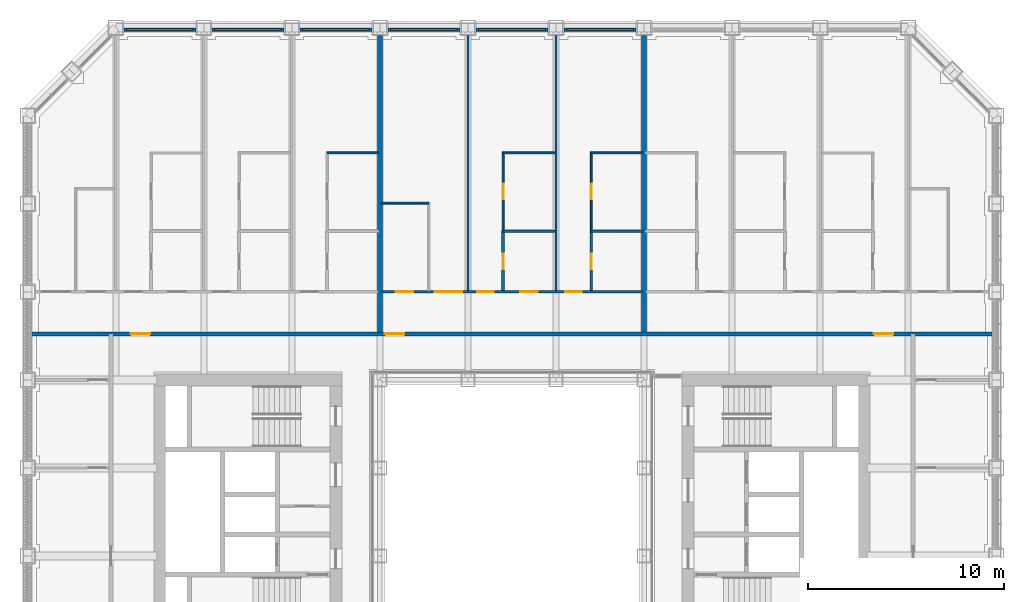
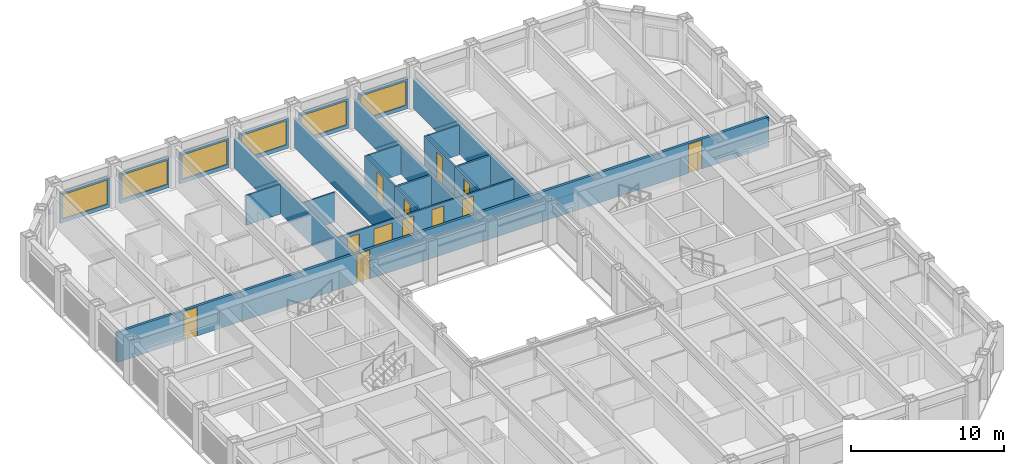
# One storey, part 14 of 21: 22 walls, 12 doors, 6 windows, 18 openings.
"""IFC4 building model written with IfcOpenShell, lengths in metres."""

import ifcopenshell
import ifcopenshell.guid

model = None  # the IFC model being written
_history = None  # IfcOwnerHistory: only IFC2X3 demands one
_inside = {}  # id of a spatial element -> (the spatial element, [elements in it])
_under = {}  # id of a project, library or spatial element -> (it, [spatial elements below it])
_declared = {}  # id of a project -> (the project, [libraries it declares])
_typed = {}  # id of a type object -> (the type object, [elements of that type])
_made_of = {}  # id of a material, layer set ... -> (it, [elements and type objects made of it])


def new_model(schema):
    """Start an empty IFC model of exactly this schema.

    Asked for "IFC4X3", IfcOpenShell would pick the latest addendum, in which some entities
    have other attributes; the version numbers below select the first issue.
    IFC2X3 requires an IfcOwnerHistory on every rooted entity: one is made here for all.
    """
    global model, _history
    if schema == "IFC4X3":
        model = ifcopenshell.file(schema_version=(4, 3, 0, 0))
    else:
        model = ifcopenshell.file(schema=schema)
    _inside.clear()
    _under.clear()
    _declared.clear()
    _typed.clear()
    _made_of.clear()
    _history = None
    if model.schema == "IFC2X3":
        org = make("IfcOrganization", Name="unknown")
        user = make(
            "IfcPersonAndOrganization",
            ThePerson=make("IfcPerson", FamilyName="unknown"),
            TheOrganization=org,
        )
        app = make(
            "IfcApplication",
            ApplicationDeveloper=org,
            Version="unknown",
            ApplicationFullName="unknown",
            ApplicationIdentifier="unknown",
        )
        _history = make(
            "IfcOwnerHistory",
            OwningUser=user,
            OwningApplication=app,
            ChangeAction="ADDED",
            CreationDate=0,
        )
    return model


def make(cls, **values):
    """One entity of the class cls with the attributes given. An attribute that is None is left unset."""
    return model.create_entity(
        cls, **{name: value for name, value in values.items() if value is not None}
    )


def rooted(cls, **values):
    """An entity with a GlobalId (a new one), such as an element, a storey or a relation."""
    return make(cls, GlobalId=ifcopenshell.guid.new(), OwnerHistory=_history, **values)


def si_unit(unit_type, name, prefix=None):
    """IfcSIUnit, for example si_unit("LENGTHUNIT", "METRE", prefix="MILLI")."""
    return make("IfcSIUnit", UnitType=unit_type, Prefix=prefix, Name=name)


def assignment(units):
    """IfcUnitAssignment: the units of a project."""
    return None if units is None else make("IfcUnitAssignment", Units=units)


def point(xyz):
    """IfcCartesianPoint."""
    return None if xyz is None else make("IfcCartesianPoint", Coordinates=xyz)


def direction(xyz):
    """IfcDirection."""
    return None if xyz is None else make("IfcDirection", DirectionRatios=xyz)


def frame(location, z_axis=None, x_axis=None):
    """IfcAxis2Placement3D, a coordinate frame: its origin and axes. An axis left out is left unset."""
    return make(
        "IfcAxis2Placement3D",
        Location=point(location),
        Axis=direction(z_axis),
        RefDirection=direction(x_axis),
    )


def frame_2d(location, x_axis=None):
    """IfcAxis2Placement2D, a coordinate frame in the plane: its origin and x axis."""
    return make(
        "IfcAxis2Placement2D", Location=point(location), RefDirection=direction(x_axis)
    )


def origin():
    """The frame at (0, 0, 0) with its axes left unset."""
    return frame((0.0, 0.0, 0.0))


def place(relative_to, where):
    """IfcLocalPlacement: puts the frame where relative to a parent placement (None: the world)."""
    return make(
        "IfcLocalPlacement", PlacementRelTo=relative_to, RelativePlacement=where
    )


def context(
    kind, dimensions, precision=None, world=None, true_north=None, identifier=None
):
    """IfcGeometricRepresentationContext, for example the 3D "Model" context."""
    return make(
        "IfcGeometricRepresentationContext",
        ContextIdentifier=identifier,
        ContextType=kind,
        CoordinateSpaceDimension=dimensions,
        Precision=precision,
        WorldCoordinateSystem=world,
        TrueNorth=true_north,
    )


def subcontext(parent, identifier, kind, view, scale=None):
    """IfcGeometricRepresentationSubContext, for example "Body" below "Model"."""
    return make(
        "IfcGeometricRepresentationSubContext",
        ContextIdentifier=identifier,
        ContextType=kind,
        ParentContext=parent,
        TargetScale=scale,
        TargetView=view,
    )


def project(units=None, contexts=None):
    """IfcProject with its units and contexts."""
    return rooted(
        "IfcProject",
        Name="project",
        RepresentationContexts=contexts,
        UnitsInContext=assignment(units),
    )


def spatial(cls, under=None, at=None, **own):
    """A site, building, storey or space (cls), placed at a placement, below another one or the project."""
    s = rooted(cls, ObjectPlacement=at, **own)
    if under is not None:
        _under.setdefault(under.id(), (under, []))[1].append(s)
    return s


def profile(cls, at=None, kind="AREA", **sizes):
    """A parametric profile (cls). Its sizes go by their IFC names, for example OverallWidth=200.0."""
    return make(cls, ProfileType=kind, Position=at, **sizes)


def rectangle(**sizes):
    """IfcRectangleProfileDef."""
    return profile("IfcRectangleProfileDef", **sizes)


def extrude(swept, where, along, depth):
    """IfcExtrudedAreaSolid: the profile swept, set in the frame where, extruded along a direction by depth."""
    return make(
        "IfcExtrudedAreaSolid",
        SweptArea=swept,
        Position=where,
        ExtrudedDirection=direction(along),
        Depth=depth,
    )


def shape(context_of_items, identifier, shape_type, items):
    """IfcShapeRepresentation: the items that make up one representation, for example the "Body"."""
    return make(
        "IfcShapeRepresentation",
        ContextOfItems=context_of_items,
        RepresentationIdentifier=identifier,
        RepresentationType=shape_type,
        Items=items,
    )


def material(Name=None, Category=None):
    """IfcMaterial."""
    return make("IfcMaterial", Name=Name, Category=Category)


def layer(
    of_material, thickness, ventilated=None, Name=None, Category=None, Priority=None
):
    """IfcMaterialLayer: one layer of a wall or slab, of a material (None: an air gap)."""
    return make(
        "IfcMaterialLayer",
        Material=of_material,
        LayerThickness=thickness,
        IsVentilated=ventilated,
        Name=Name,
        Category=Category,
        Priority=Priority,
    )


def layer_set(layers, Name=None):
    """IfcMaterialLayerSet."""
    return make("IfcMaterialLayerSet", MaterialLayers=layers, LayerSetName=Name)


def made_of(thing, what):
    """Note that an element or type object is made of a material, layer set ...; save() writes the relation."""
    if what is not None:
        _made_of.setdefault(what.id(), (what, []))[1].append(thing)
    return thing


def type_object(cls, material=None, **own):
    """A type object (cls), such as IfcWallType, which elements share."""
    return made_of(rooted(cls, **own), material)


def element(
    cls,
    number,
    at=None,
    inside=None,
    cuts=None,
    type_object=None,
    material=None,
    context=None,
    identifier="Body",
    shape_type=None,
    held_by="IfcProductDefinitionShape",
    body=None,
    shapes=None,
    **own,
):
    """One element of the class cls, such as IfcWall. Its Tag is "e" and its number.

    at: its placement. inside: the storey or other place that contains it. cuts: it is an
    opening in that element (IfcRelVoidsElement). A single representation is given by context,
    identifier, shape_type and body (its items); several are given by shapes. held_by: the class
    of the entity that holds the representations. save() writes the other relations.
    """
    e = rooted(cls, Tag="e%d" % number, ObjectPlacement=at, **own)
    if body is not None:
        shapes = [shape(context, identifier, shape_type, body)]
    if shapes is not None:
        e.Representation = make(held_by, Representations=shapes)
    if inside is not None:
        _inside.setdefault(inside.id(), (inside, []))[1].append(e)
    if cuts is not None:
        rooted(
            "IfcRelVoidsElement", RelatingBuildingElement=cuts, RelatedOpeningElement=e
        )
    if type_object is not None:
        _typed.setdefault(type_object.id(), (type_object, []))[1].append(e)
    return made_of(e, material)


def fill(opening, filler):
    """IfcRelFillsElement: the door or window that sits in an opening."""
    return rooted(
        "IfcRelFillsElement",
        RelatingOpeningElement=opening,
        RelatedBuildingElement=filler,
    )


def aggregate(whole, parts):
    """IfcRelAggregates: a whole, such as a stair, and the parts it consists of."""
    return rooted("IfcRelAggregates", RelatingObject=whole, RelatedObjects=parts)


def save(model, path):
    """Write the relations noted so far, then the file.

    IfcRelAggregates (storeys below a building ...), IfcRelContainedInSpatialStructure (elements
    in a storey), IfcRelDefinesByType, IfcRelAssociatesMaterial and IfcRelDeclares: one each for
    every whole, place, type object, material and project.
    """
    for whole, parts in _under.values():
        aggregate(whole, parts)
    for where, things in _inside.values():
        rooted(
            "IfcRelContainedInSpatialStructure",
            RelatedElements=things,
            RelatingStructure=where,
        )
    for kind, things in _typed.values():
        rooted("IfcRelDefinesByType", RelatedObjects=things, RelatingType=kind)
    for what, things in _made_of.values():
        rooted("IfcRelAssociatesMaterial", RelatedObjects=things, RelatingMaterial=what)
    for by, libraries in _declared.values():
        rooted("IfcRelDeclares", RelatingContext=by, RelatedDefinitions=libraries)
    model.write(path)


model = new_model("IFC4")

# Units and contexts
model_context = context("Model", 3, precision=1e-05, world=origin(), true_north=direction((0.0, 1.0)))
body_context = subcontext(model_context, "Body", "Model", "MODEL_VIEW")
ifc_project = project(units=[si_unit("LENGTHUNIT", "METRE"), si_unit("AREAUNIT", "SQUARE_METRE"), si_unit("VOLUMEUNIT", "CUBIC_METRE"), si_unit("PLANEANGLEUNIT", "RADIAN"), si_unit("MASSUNIT", "GRAM", prefix="KILO")], contexts=[model_context])

# Site, building, storey
site_placement = place(None, origin())
site = spatial("IfcSite", under=ifc_project, at=site_placement, CompositionType="ELEMENT")
building_placement = place(site_placement, origin())
building = spatial("IfcBuilding", under=site, at=building_placement, Name="Msasa Ring Tower", CompositionType="ELEMENT")
storey_placement = place(building_placement, frame((0.0, 0.0, 72.0)))
storey = spatial("IfcBuildingStorey", under=building, at=storey_placement, Name="L18", CompositionType="ELEMENT", Elevation=72.0)

# Wall, opening, window
ifc_material_1 = material(Name="Terracotta rainscreen on blockwork", Category="masonry")
ifc_layer_1 = layer(ifc_material_1, 0.199951171875)
ifc_layer_set_1 = layer_set([ifc_layer_1], Name="FW1 TERRACOTTA-LINED INFILL BAY WALL 200")
wall_type_1 = type_object("IfcWallType", Name="FW1 TERRACOTTA-LINED INFILL BAY WALL 200", PredefinedType="SOLIDWALL", material=ifc_layer_set_1)
wall_1_placement = place(storey_placement, frame((-19.844970703125, 24.64990234375, 0.0), z_axis=(0.0, 0.0, 1.0), x_axis=(1.0, 0.0, 0.0)))
wall_1 = element("IfcWall", 1, at=wall_1_placement, inside=storey, type_object=wall_type_1, Name="Infill bay wall N L18 22", PredefinedType="SOLIDWALL", context=body_context, shape_type="SweptSolid", body=[
    extrude(rectangle(XDim=3.68994140625, YDim=0.199951171875, at=frame_2d((1.844970703125, 0.0))), origin(), (0.0, 0.0, 1.0), 2.37890625),
])
opening_1_placement = place(wall_1_placement, frame((0.14501953125, 0.0, 0.300048828125)))
opening_1 = element("IfcOpeningElement", 2, at=opening_1_placement, cuts=wall_1, Name="Opening WN1", PredefinedType="OPENING", context=body_context, shape_type="SweptSolid", body=[
    extrude(rectangle(XDim=3.39990234375, YDim=1.928955078125, at=frame_2d((1.699951171875, 0.96435546875))), frame((0.0, 0.10986328125, 0.0), z_axis=(0.0, -1.0, 0.0), x_axis=(1.0, 0.0, 0.0)), (0.0, 0.0, 1.0), 0.219970703125),
])
ifc_material_2 = material(Name="Aluminium frame with clear glass", Category="aluminium")
window_type = type_object("IfcWindowType", Name="WN1 RESIDENCE WINDOW 3400x1929", PartitioningType="SINGLE_PANEL", PredefinedType="WINDOW", material=ifc_material_2)
window_1_placement = place(opening_1_placement, origin())
window_1 = element("IfcWindow", 3, at=window_1_placement, inside=storey, type_object=window_type, Name="Window N L18 22", OverallHeight=1.928955078125, OverallWidth=3.39990234375, PartitioningType="SINGLE_PANEL", PredefinedType="WINDOW", context=body_context, shape_type="SweptSolid", body=[
    extrude(rectangle(XDim=3.39990234375, YDim=1.928955078125, at=frame_2d((1.699951171875, 0.96435546875))), frame((0.0, 0.030029296875, 0.0), z_axis=(0.0, -1.0, 0.0), x_axis=(1.0, 0.0, 0.0)), (0.0, 0.0, 1.0), 0.06005859375),
])
fill(opening_1, window_1)

wall_2_placement = place(storey_placement, frame((-15.344970703125, 24.64990234375, 0.0), z_axis=(0.0, 0.0, 1.0), x_axis=(1.0, 0.0, 0.0)))
wall_2 = element("IfcWall", 4, at=wall_2_placement, inside=storey, type_object=wall_type_1, Name="Infill bay wall N L18 23", PredefinedType="SOLIDWALL", context=body_context, shape_type="SweptSolid", body=[
    extrude(rectangle(XDim=3.68994140625, YDim=0.199951171875, at=frame_2d((1.844970703125, 0.0))), origin(), (0.0, 0.0, 1.0), 2.37890625),
])
opening_2_placement = place(wall_2_placement, frame((0.14501953125, 0.0, 0.300048828125)))
opening_2 = element("IfcOpeningElement", 5, at=opening_2_placement, cuts=wall_2, Name="Opening WN1", PredefinedType="OPENING", context=body_context, shape_type="SweptSolid", body=[
    extrude(rectangle(XDim=3.39990234375, YDim=1.928955078125, at=frame_2d((1.699951171875, 0.96435546875))), frame((0.0, 0.10986328125, 0.0), z_axis=(0.0, -1.0, 0.0), x_axis=(1.0, 0.0, 0.0)), (0.0, 0.0, 1.0), 0.219970703125),
])
window_2_placement = place(opening_2_placement, origin())
window_2 = element("IfcWindow", 6, at=window_2_placement, inside=storey, type_object=window_type, Name="Window N L18 23", OverallHeight=1.928955078125, OverallWidth=3.39990234375, PartitioningType="SINGLE_PANEL", PredefinedType="WINDOW", context=body_context, shape_type="SweptSolid", body=[
    extrude(rectangle(XDim=3.39990234375, YDim=1.928955078125, at=frame_2d((1.699951171875, 0.96435546875))), frame((0.0, 0.030029296875, 0.0), z_axis=(0.0, -1.0, 0.0), x_axis=(1.0, 0.0, 0.0)), (0.0, 0.0, 1.0), 0.06005859375),
])
fill(opening_2, window_2)

wall_3_placement = place(storey_placement, frame((-10.844970703125, 24.64990234375, 0.0), z_axis=(0.0, 0.0, 1.0), x_axis=(1.0, 0.0, 0.0)))
wall_3 = element("IfcWall", 7, at=wall_3_placement, inside=storey, type_object=wall_type_1, Name="Infill bay wall N L18 24", PredefinedType="SOLIDWALL", context=body_context, shape_type="SweptSolid", body=[
    extrude(rectangle(XDim=3.68994140625, YDim=0.199951171875, at=frame_2d((1.844970703125, 0.0))), origin(), (0.0, 0.0, 1.0), 2.37890625),
])
opening_3_placement = place(wall_3_placement, frame((0.14501953125, 0.0, 0.300048828125)))
opening_3 = element("IfcOpeningElement", 8, at=opening_3_placement, cuts=wall_3, Name="Opening WN1", PredefinedType="OPENING", context=body_context, shape_type="SweptSolid", body=[
    extrude(rectangle(XDim=3.39990234375, YDim=1.928955078125, at=frame_2d((1.699951171875, 0.96435546875))), frame((0.0, 0.10986328125, 0.0), z_axis=(0.0, -1.0, 0.0), x_axis=(1.0, 0.0, 0.0)), (0.0, 0.0, 1.0), 0.219970703125),
])
window_3_placement = place(opening_3_placement, origin())
window_3 = element("IfcWindow", 9, at=window_3_placement, inside=storey, type_object=window_type, Name="Window N L18 24", OverallHeight=1.928955078125, OverallWidth=3.39990234375, PartitioningType="SINGLE_PANEL", PredefinedType="WINDOW", context=body_context, shape_type="SweptSolid", body=[
    extrude(rectangle(XDim=3.39990234375, YDim=1.928955078125, at=frame_2d((1.699951171875, 0.96435546875))), frame((0.0, 0.030029296875, 0.0), z_axis=(0.0, -1.0, 0.0), x_axis=(1.0, 0.0, 0.0)), (0.0, 0.0, 1.0), 0.06005859375),
])
fill(opening_3, window_3)

wall_4_placement = place(storey_placement, frame((-6.344970703125, 24.64990234375, 0.0), z_axis=(0.0, 0.0, 1.0), x_axis=(1.0, 0.0, 0.0)))
wall_4 = element("IfcWall", 10, at=wall_4_placement, inside=storey, type_object=wall_type_1, Name="Infill bay wall N L18 25", PredefinedType="SOLIDWALL", context=body_context, shape_type="SweptSolid", body=[
    extrude(rectangle(XDim=3.68994140625, YDim=0.199951171875, at=frame_2d((1.844970703125, 0.0))), origin(), (0.0, 0.0, 1.0), 2.37890625),
])
opening_4_placement = place(wall_4_placement, frame((0.14501953125, 0.0, 0.300048828125)))
opening_4 = element("IfcOpeningElement", 11, at=opening_4_placement, cuts=wall_4, Name="Opening WN1", PredefinedType="OPENING", context=body_context, shape_type="SweptSolid", body=[
    extrude(rectangle(XDim=3.39990234375, YDim=1.928955078125, at=frame_2d((1.699951171875, 0.96435546875))), frame((0.0, 0.10986328125, 0.0), z_axis=(0.0, -1.0, 0.0), x_axis=(1.0, 0.0, 0.0)), (0.0, 0.0, 1.0), 0.219970703125),
])
window_4_placement = place(opening_4_placement, origin())
window_4 = element("IfcWindow", 12, at=window_4_placement, inside=storey, type_object=window_type, Name="Window N L18 25", OverallHeight=1.928955078125, OverallWidth=3.39990234375, PartitioningType="SINGLE_PANEL", PredefinedType="WINDOW", context=body_context, shape_type="SweptSolid", body=[
    extrude(rectangle(XDim=3.39990234375, YDim=1.928955078125, at=frame_2d((1.699951171875, 0.96435546875))), frame((0.0, 0.030029296875, 0.0), z_axis=(0.0, -1.0, 0.0), x_axis=(1.0, 0.0, 0.0)), (0.0, 0.0, 1.0), 0.06005859375),
])
fill(opening_4, window_4)

wall_5_placement = place(storey_placement, frame((-1.844970703125, 24.64990234375, 0.0), z_axis=(0.0, 0.0, 1.0), x_axis=(1.0, 0.0, 0.0)))
wall_5 = element("IfcWall", 13, at=wall_5_placement, inside=storey, type_object=wall_type_1, Name="Infill bay wall N L18 26", PredefinedType="SOLIDWALL", context=body_context, shape_type="SweptSolid", body=[
    extrude(rectangle(XDim=3.68994140625, YDim=0.199951171875, at=frame_2d((1.844970703125, 0.0))), origin(), (0.0, 0.0, 1.0), 2.37890625),
])
opening_5_placement = place(wall_5_placement, frame((0.14501953125, 0.0, 0.300048828125)))
opening_5 = element("IfcOpeningElement", 14, at=opening_5_placement, cuts=wall_5, Name="Opening WN1", PredefinedType="OPENING", context=body_context, shape_type="SweptSolid", body=[
    extrude(rectangle(XDim=3.39990234375, YDim=1.928955078125, at=frame_2d((1.699951171875, 0.96435546875))), frame((0.0, 0.10986328125, 0.0), z_axis=(0.0, -1.0, 0.0), x_axis=(1.0, 0.0, 0.0)), (0.0, 0.0, 1.0), 0.219970703125),
])
window_5_placement = place(opening_5_placement, origin())
window_5 = element("IfcWindow", 15, at=window_5_placement, inside=storey, type_object=window_type, Name="Window N L18 26", OverallHeight=1.928955078125, OverallWidth=3.39990234375, PartitioningType="SINGLE_PANEL", PredefinedType="WINDOW", context=body_context, shape_type="SweptSolid", body=[
    extrude(rectangle(XDim=3.39990234375, YDim=1.928955078125, at=frame_2d((1.699951171875, 0.96435546875))), frame((0.0, 0.030029296875, 0.0), z_axis=(0.0, -1.0, 0.0), x_axis=(1.0, 0.0, 0.0)), (0.0, 0.0, 1.0), 0.06005859375),
])
fill(opening_5, window_5)

wall_6_placement = place(storey_placement, frame((2.655029296875, 24.64990234375, 0.0), z_axis=(0.0, 0.0, 1.0), x_axis=(1.0, 0.0, 0.0)))
wall_6 = element("IfcWall", 16, at=wall_6_placement, inside=storey, type_object=wall_type_1, Name="Infill bay wall N L18 27", PredefinedType="SOLIDWALL", context=body_context, shape_type="SweptSolid", body=[
    extrude(rectangle(XDim=3.68994140625, YDim=0.199951171875, at=frame_2d((1.844970703125, 0.0))), origin(), (0.0, 0.0, 1.0), 2.37890625),
])
opening_6_placement = place(wall_6_placement, frame((0.14501953125, 0.0, 0.300048828125)))
opening_6 = element("IfcOpeningElement", 17, at=opening_6_placement, cuts=wall_6, Name="Opening WN1", PredefinedType="OPENING", context=body_context, shape_type="SweptSolid", body=[
    extrude(rectangle(XDim=3.39990234375, YDim=1.928955078125, at=frame_2d((1.699951171875, 0.96435546875))), frame((0.0, 0.10986328125, 0.0), z_axis=(0.0, -1.0, 0.0), x_axis=(1.0, 0.0, 0.0)), (0.0, 0.0, 1.0), 0.219970703125),
])
window_6_placement = place(opening_6_placement, origin())
window_6 = element("IfcWindow", 18, at=window_6_placement, inside=storey, type_object=window_type, Name="Window N L18 27", OverallHeight=1.928955078125, OverallWidth=3.39990234375, PartitioningType="SINGLE_PANEL", PredefinedType="WINDOW", context=body_context, shape_type="SweptSolid", body=[
    extrude(rectangle(XDim=3.39990234375, YDim=1.928955078125, at=frame_2d((1.699951171875, 0.96435546875))), frame((0.0, 0.030029296875, 0.0), z_axis=(0.0, -1.0, 0.0), x_axis=(1.0, 0.0, 0.0)), (0.0, 0.0, 1.0), 0.06005859375),
])
fill(opening_6, window_6)

# Wall, openings, doors
ifc_material_3 = material(Name="Concrete blockwork", Category="masonry")
ifc_layer_2 = layer(ifc_material_3, 0.199951171875)
ifc_layer_set_2 = layer_set([ifc_layer_2], Name="PT1 CORRIDOR WALL 200")
wall_type_2 = type_object("IfcWallType", Name="PT1 CORRIDOR WALL 200", PredefinedType="PARTITIONING", material=ifc_layer_set_2)
wall_7_placement = place(storey_placement, frame((-24.550048828125, 9.10009765625, 0.0), z_axis=(0.0, 0.0, 1.0), x_axis=(1.0, 0.0, 0.0)))
wall_7 = element("IfcWall", 19, at=wall_7_placement, inside=storey, type_object=wall_type_2, Name="Corridor wall L18-CORRN0", PredefinedType="PARTITIONING", context=body_context, shape_type="SweptSolid", body=[
    extrude(rectangle(XDim=49.10009765625, YDim=0.199951171875, at=frame_2d((24.550048828125, 0.0))), origin(), (0.0, 0.0, 1.0), 2.373291015625),
])
opening_7_placement = place(wall_7_placement, frame((5.050048828125, 0.0, 0.0)))
opening_7 = element("IfcOpeningElement", 20, at=opening_7_placement, cuts=wall_7, Name="Opening RE-034", PredefinedType="OPENING", context=body_context, shape_type="SweptSolid", body=[
    extrude(rectangle(XDim=1.0, YDim=2.300048828125, at=frame_2d((0.5, 1.14990234375))), frame((0.0, 0.10986328125, 0.0), z_axis=(0.0, -1.0, 0.0), x_axis=(1.0, 0.0, 0.0)), (0.0, 0.0, 1.0), 0.219970703125),
])
opening_8_placement = place(wall_7_placement, frame((18.050048828125, 0.0, 0.0)))
opening_8 = element("IfcOpeningElement", 21, at=opening_8_placement, cuts=wall_7, Name="Opening RE-035", PredefinedType="OPENING", context=body_context, shape_type="SweptSolid", body=[
    extrude(rectangle(XDim=1.0, YDim=2.300048828125, at=frame_2d((0.5, 1.14990234375))), frame((0.0, 0.10986328125, 0.0), z_axis=(0.0, -1.0, 0.0), x_axis=(1.0, 0.0, 0.0)), (0.0, 0.0, 1.0), 0.219970703125),
])
opening_9_placement = place(wall_7_placement, frame((43.050048828125, 0.0, 0.0)))
opening_9 = element("IfcOpeningElement", 22, at=opening_9_placement, cuts=wall_7, Name="Opening RE-036", PredefinedType="OPENING", context=body_context, shape_type="SweptSolid", body=[
    extrude(rectangle(XDim=1.0, YDim=2.300048828125, at=frame_2d((0.5, 1.14990234375))), frame((0.0, 0.10986328125, 0.0), z_axis=(0.0, -1.0, 0.0), x_axis=(1.0, 0.0, 0.0)), (0.0, 0.0, 1.0), 0.219970703125),
])
ifc_material_4 = material(Name="Timber door leaf in a steel frame", Category="steel")
door_type_1 = type_object("IfcDoorType", Name="D16 UPPER RESIDENCE ENTRANCE DOOR 1000x2300", OperationType="SINGLE_SWING_LEFT", PredefinedType="DOOR", material=ifc_material_4)
door_1_placement = place(opening_7_placement, origin())
door_1 = element("IfcDoor", 23, at=door_1_placement, inside=storey, type_object=door_type_1, Name="Door L18-UN00", OperationType="SINGLE_SWING_LEFT", OverallHeight=2.300048828125, OverallWidth=1.0, PredefinedType="DOOR", context=body_context, shape_type="SweptSolid", body=[
    extrude(rectangle(XDim=1.0, YDim=2.300048828125, at=frame_2d((0.5, 1.14990234375))), frame((0.0, 0.02490234375, 0.0), z_axis=(0.0, -1.0, 0.0), x_axis=(1.0, 0.0, 0.0)), (0.0, 0.0, 1.0), 0.050048828125),
])
fill(opening_7, door_1)
door_2_placement = place(opening_8_placement, origin())
door_2 = element("IfcDoor", 24, at=door_2_placement, inside=storey, type_object=door_type_1, Name="Door L18-UN01", OperationType="SINGLE_SWING_LEFT", OverallHeight=2.300048828125, OverallWidth=1.0, PredefinedType="DOOR", context=body_context, shape_type="SweptSolid", body=[
    extrude(rectangle(XDim=1.0, YDim=2.300048828125, at=frame_2d((0.5, 1.14990234375))), frame((0.0, 0.02490234375, 0.0), z_axis=(0.0, -1.0, 0.0), x_axis=(1.0, 0.0, 0.0)), (0.0, 0.0, 1.0), 0.050048828125),
])
fill(opening_8, door_2)
door_3_placement = place(opening_9_placement, origin())
door_3 = element("IfcDoor", 25, at=door_3_placement, inside=storey, type_object=door_type_1, Name="Door L18-UN02", OperationType="SINGLE_SWING_RIGHT", OverallHeight=2.300048828125, OverallWidth=1.0, PredefinedType="DOOR", context=body_context, shape_type="SweptSolid", body=[
    extrude(rectangle(XDim=1.0, YDim=2.300048828125, at=frame_2d((0.5, 1.14990234375))), frame((0.0, 0.02490234375, 0.0), z_axis=(0.0, -1.0, 0.0), x_axis=(1.0, 0.0, 0.0)), (0.0, 0.0, 1.0), 0.050048828125),
])
fill(opening_9, door_3)

# Walls
ifc_material_5 = material(Name="Gypsum board on steel studs", Category="steel")
ifc_layer_3 = layer(ifc_material_5, 0.10009765625)
ifc_layer_set_3 = layer_set([ifc_layer_3], Name="PT2 STUD PARTITION 100")
wall_type_3 = type_object("IfcWallType", Name="PT2 STUD PARTITION 100", PredefinedType="PARTITIONING", material=ifc_layer_set_3)
wall_8_placement = place(storey_placement, frame((-9.449951171875, 18.35302734375, 0.0), z_axis=(0.0, 0.0, 1.0), x_axis=(1.0, 0.0, 0.0)))
element("IfcWall", 26, at=wall_8_placement, inside=storey, type_object=wall_type_3, Name="Partition L18-UN00WY3", PredefinedType="PARTITIONING", context=body_context, shape_type="SweptSolid", body=[
    extrude(rectangle(XDim=2.639892578125, YDim=0.10009765625, at=frame_2d((1.31982421875, 0.0))), origin(), (0.0, 0.0, 1.0), 2.373291015625),
])
wall_9_placement = place(storey_placement, frame((-6.6826171875, 15.79248046875, 0.0), z_axis=(0.0, 0.0, 1.0), x_axis=(1.0, 0.0, 0.0)))
element("IfcWall", 27, at=wall_9_placement, inside=storey, type_object=wall_type_3, Name="Partition L18-UN01KY", PredefinedType="PARTITIONING", context=body_context, shape_type="SweptSolid", body=[
    extrude(rectangle(XDim=2.4326171875, YDim=0.10009765625, at=frame_2d((1.21630859375, 0.0))), origin(), (0.0, 0.0, 1.0), 2.373291015625),
])

# Wall, opening, door
wall_10_placement = place(storey_placement, frame((-0.449951171875, 14.39990234375, 0.0), z_axis=(0.0, 0.0, 1.0), x_axis=(0.0, 1.0, 0.0)))
wall_10 = element("IfcWall", 28, at=wall_10_placement, inside=storey, type_object=wall_type_3, Name="Partition L18-UN01WX1", PredefinedType="PARTITIONING", context=body_context, shape_type="SweptSolid", body=[
    extrude(rectangle(XDim=4.003173828125, YDim=0.10009765625, at=frame_2d((2.00146484375, 0.0))), origin(), (0.0, 0.0, 1.0), 2.373291015625),
])
opening_10_placement = place(wall_10_placement, frame((1.576416015625, 0.0, 0.0)))
opening_10 = element("IfcOpeningElement", 29, at=opening_10_placement, cuts=wall_10, Name="Opening RE-004", PredefinedType="OPENING", context=body_context, shape_type="SweptSolid", body=[
    extrude(rectangle(XDim=0.800048828125, YDim=2.10009765625, at=frame_2d((0.39990234375, 1.050048828125))), frame((0.0, 0.06005859375, 0.0), z_axis=(0.0, -1.0, 0.0), x_axis=(1.0, 0.0, 0.0)), (0.0, 0.0, 1.0), 0.1201171875),
])
ifc_material_6 = material(Name="Timber door leaf in a steel frame", Category="steel")
door_type_2 = type_object("IfcDoorType", Name="D60 DRESSING ROOM DOOR 800x2100", OperationType="SINGLE_SWING_LEFT", PredefinedType="DOOR", material=ifc_material_6)
door_4_placement = place(opening_10_placement, origin())
door_4 = element("IfcDoor", 30, at=door_4_placement, inside=storey, type_object=door_type_2, Name="Door L18-UN01W1", OperationType="SINGLE_SWING_LEFT", OverallHeight=2.10009765625, OverallWidth=0.800048828125, PredefinedType="DOOR", context=body_context, shape_type="SweptSolid", body=[
    extrude(rectangle(XDim=0.800048828125, YDim=2.10009765625, at=frame_2d((0.39990234375, 1.050048828125))), frame((0.0, 0.02490234375, 0.0), z_axis=(0.0, -1.0, 0.0), x_axis=(1.0, 0.0, 0.0)), (0.0, 0.0, 1.0), 0.050048828125),
])
fill(opening_10, door_4)

# Wall
wall_11_placement = place(storey_placement, frame((-0.449951171875, 18.35302734375, 0.0), z_axis=(0.0, 0.0, 1.0), x_axis=(1.0, 0.0, 0.0)))
element("IfcWall", 31, at=wall_11_placement, inside=storey, type_object=wall_type_3, Name="Partition L18-UN01WY1", PredefinedType="PARTITIONING", context=body_context, shape_type="SweptSolid", body=[
    extrude(rectangle(XDim=2.639892578125, YDim=0.10009765625, at=frame_2d((1.31982421875, 0.0))), origin(), (0.0, 0.0, 1.0), 2.373291015625),
])

# Wall, opening, door
wall_12_placement = place(storey_placement, frame((4.050048828125, 14.39990234375, 0.0), z_axis=(0.0, 0.0, 1.0), x_axis=(0.0, 1.0, 0.0)))
wall_12 = element("IfcWall", 32, at=wall_12_placement, inside=storey, type_object=wall_type_3, Name="Partition L18-UN01WX2", PredefinedType="PARTITIONING", context=body_context, shape_type="SweptSolid", body=[
    extrude(rectangle(XDim=4.003173828125, YDim=0.10009765625, at=frame_2d((2.00146484375, 0.0))), origin(), (0.0, 0.0, 1.0), 2.373291015625),
])
opening_11_placement = place(wall_12_placement, frame((1.576416015625, 0.0, 0.0)))
opening_11 = element("IfcOpeningElement", 33, at=opening_11_placement, cuts=wall_12, Name="Opening RE-005", PredefinedType="OPENING", context=body_context, shape_type="SweptSolid", body=[
    extrude(rectangle(XDim=0.800048828125, YDim=2.10009765625, at=frame_2d((0.39990234375, 1.050048828125))), frame((0.0, 0.06005859375, 0.0), z_axis=(0.0, -1.0, 0.0), x_axis=(1.0, 0.0, 0.0)), (0.0, 0.0, 1.0), 0.1201171875),
])
door_5_placement = place(opening_11_placement, origin())
door_5 = element("IfcDoor", 34, at=door_5_placement, inside=storey, type_object=door_type_2, Name="Door L18-UN01W2", OperationType="SINGLE_SWING_LEFT", OverallHeight=2.10009765625, OverallWidth=0.800048828125, PredefinedType="DOOR", context=body_context, shape_type="SweptSolid", body=[
    extrude(rectangle(XDim=0.800048828125, YDim=2.10009765625, at=frame_2d((0.39990234375, 1.050048828125))), frame((0.0, 0.02490234375, 0.0), z_axis=(0.0, -1.0, 0.0), x_axis=(1.0, 0.0, 0.0)), (0.0, 0.0, 1.0), 0.050048828125),
])
fill(opening_11, door_5)

# Walls
wall_13_placement = place(storey_placement, frame((4.050048828125, 18.35302734375, 0.0), z_axis=(0.0, 0.0, 1.0), x_axis=(1.0, 0.0, 0.0)))
element("IfcWall", 35, at=wall_13_placement, inside=storey, type_object=wall_type_3, Name="Partition L18-UN01WY2", PredefinedType="PARTITIONING", context=body_context, shape_type="SweptSolid", body=[
    extrude(rectangle(XDim=2.639892578125, YDim=0.10009765625, at=frame_2d((1.31982421875, 0.0))), origin(), (0.0, 0.0, 1.0), 2.373291015625),
])
ifc_material_7 = material(Name="Dense concrete blockwork, plastered both faces", Category="masonry")
ifc_layer_4 = layer(ifc_material_7, 0.25)
ifc_layer_set_4 = layer_set([ifc_layer_4], Name="PT3 APARTMENT SEPARATING WALL 250")
wall_type_4 = type_object("IfcWallType", Name="PT3 APARTMENT SEPARATING WALL 250", PredefinedType="PARTITIONING", material=ifc_layer_set_4)
for number, where, z_axis, x_axis, name in (
    (36, (-6.75, 9.199951171875, 0.0), (0.0, 0.0, 1.0), (0.0, 1.0, 0.0), "Party wall L18-PWN-6.75"),
    (37, (6.75, 9.199951171875, 0.0), (0.0, 0.0, 1.0), (0.0, 1.0, 0.0), "Party wall L18-PWN+6.75"),
):
    element("IfcWall", number, at=place(storey_placement, frame(where, z_axis=z_axis, x_axis=x_axis)), inside=storey, type_object=wall_type_4, Name=name, PredefinedType="PARTITIONING", context=body_context, shape_type="SweptSolid", body=[
        extrude(rectangle(XDim=15.150146484375, YDim=0.25, at=frame_2d((7.5751953125, 0.0))), origin(), (0.0, 0.0, 1.0), 2.373291015625),
    ])

# Wall, opening, door
ifc_material_8 = material(Name="Moisture-resistant board on steel studs with a concealed cistern and pipe void, tiled", Category="steel")
ifc_layer_5 = layer(ifc_material_8, 0.14990234375)
ifc_layer_set_5 = layer_set([ifc_layer_5], Name="PT4 BATHROOM WET WALL 150")
wall_type_5 = type_object("IfcWallType", Name="PT4 BATHROOM WET WALL 150", PredefinedType="PARTITIONING", material=ifc_layer_set_5)
wall_14_placement = place(storey_placement, frame((-0.449951171875, 11.3125, 0.0), z_axis=(0.0, 0.0, 1.0), x_axis=(0.0, 1.0, 0.0)))
wall_14 = element("IfcWall", 38, at=wall_14_placement, inside=storey, type_object=wall_type_5, Name="Partition L18-UN01BX1", PredefinedType="PARTITIONING", context=body_context, shape_type="SweptSolid", body=[
    extrude(rectangle(XDim=3.08740234375, YDim=0.14990234375, at=frame_2d((1.543701171875, 0.0))), origin(), (0.0, 0.0, 1.0), 2.373291015625),
])
opening_12_placement = place(wall_14_placement, frame((1.08740234375, 0.0, 0.0)))
opening_12 = element("IfcOpeningElement", 39, at=opening_12_placement, cuts=wall_14, Name="Opening RE-012", PredefinedType="OPENING", context=body_context, shape_type="SweptSolid", body=[
    extrude(rectangle(XDim=0.800048828125, YDim=2.10009765625, at=frame_2d((0.39990234375, 1.050048828125))), frame((0.0, 0.0849609375, 0.0), z_axis=(0.0, -1.0, 0.0), x_axis=(1.0, 0.0, 0.0)), (0.0, 0.0, 1.0), 0.169921875),
])
ifc_material_9 = material(Name="Timber door leaf in a steel frame", Category="steel")
door_type_3 = type_object("IfcDoorType", Name="D21 POCKET SLIDING BATHROOM DOOR 800x2100", OperationType="SINGLE_SWING_LEFT", PredefinedType="DOOR", material=ifc_material_9)
door_6_placement = place(opening_12_placement, origin())
door_6 = element("IfcDoor", 40, at=door_6_placement, inside=storey, type_object=door_type_3, Name="Door L18-UN01B1", OperationType="SINGLE_SWING_LEFT", OverallHeight=2.10009765625, OverallWidth=0.800048828125, PredefinedType="DOOR", context=body_context, shape_type="SweptSolid", body=[
    extrude(rectangle(XDim=0.800048828125, YDim=2.10009765625, at=frame_2d((0.39990234375, 1.050048828125))), frame((0.0, 0.02490234375, 0.0), z_axis=(0.0, -1.0, 0.0), x_axis=(1.0, 0.0, 0.0)), (0.0, 0.0, 1.0), 0.050048828125),
])
fill(opening_12, door_6)

# Wall
wall_15_placement = place(storey_placement, frame((-0.449951171875, 14.35009765625, 0.0), z_axis=(0.0, 0.0, 1.0), x_axis=(1.0, 0.0, 0.0)))
element("IfcWall", 41, at=wall_15_placement, inside=storey, type_object=wall_type_5, Name="Partition L18-UN01BY1", PredefinedType="PARTITIONING", context=body_context, shape_type="SweptSolid", body=[
    extrude(rectangle(XDim=2.639892578125, YDim=0.14990234375, at=frame_2d((1.31982421875, 0.0))), origin(), (0.0, 0.0, 1.0), 2.373291015625),
])

# Wall, opening, door
wall_16_placement = place(storey_placement, frame((4.050048828125, 11.3125, 0.0), z_axis=(0.0, 0.0, 1.0), x_axis=(0.0, 1.0, 0.0)))
wall_16 = element("IfcWall", 42, at=wall_16_placement, inside=storey, type_object=wall_type_5, Name="Partition L18-UN01BX2", PredefinedType="PARTITIONING", context=body_context, shape_type="SweptSolid", body=[
    extrude(rectangle(XDim=3.08740234375, YDim=0.14990234375, at=frame_2d((1.543701171875, 0.0))), origin(), (0.0, 0.0, 1.0), 2.373291015625),
])
opening_13_placement = place(wall_16_placement, frame((1.08740234375, 0.0, 0.0)))
opening_13 = element("IfcOpeningElement", 43, at=opening_13_placement, cuts=wall_16, Name="Opening RE-013", PredefinedType="OPENING", context=body_context, shape_type="SweptSolid", body=[
    extrude(rectangle(XDim=0.800048828125, YDim=2.10009765625, at=frame_2d((0.39990234375, 1.050048828125))), frame((0.0, 0.0849609375, 0.0), z_axis=(0.0, -1.0, 0.0), x_axis=(1.0, 0.0, 0.0)), (0.0, 0.0, 1.0), 0.169921875),
])
door_7_placement = place(opening_13_placement, origin())
door_7 = element("IfcDoor", 44, at=door_7_placement, inside=storey, type_object=door_type_3, Name="Door L18-UN01B2", OperationType="SINGLE_SWING_LEFT", OverallHeight=2.10009765625, OverallWidth=0.800048828125, PredefinedType="DOOR", context=body_context, shape_type="SweptSolid", body=[
    extrude(rectangle(XDim=0.800048828125, YDim=2.10009765625, at=frame_2d((0.39990234375, 1.050048828125))), frame((0.0, 0.02490234375, 0.0), z_axis=(0.0, -1.0, 0.0), x_axis=(1.0, 0.0, 0.0)), (0.0, 0.0, 1.0), 0.050048828125),
])
fill(opening_13, door_7)

# Wall
wall_17_placement = place(storey_placement, frame((4.050048828125, 14.35009765625, 0.0), z_axis=(0.0, 0.0, 1.0), x_axis=(1.0, 0.0, 0.0)))
element("IfcWall", 45, at=wall_17_placement, inside=storey, type_object=wall_type_5, Name="Partition L18-UN01BY2", PredefinedType="PARTITIONING", context=body_context, shape_type="SweptSolid", body=[
    extrude(rectangle(XDim=2.639892578125, YDim=0.14990234375, at=frame_2d((1.31982421875, 0.0))), origin(), (0.0, 0.0, 1.0), 2.373291015625),
])

# Wall, openings, doors
ifc_material_10 = material(Name="Two layers of acoustic board each face on steel studs, mineral wool", Category="steel")
ifc_layer_6 = layer(ifc_material_10, 0.125)
ifc_layer_set_6 = layer_set([ifc_layer_6], Name="PT6 ACOUSTIC DOUBLE-BOARD PARTITION 125")
wall_type_6 = type_object("IfcWallType", Name="PT6 ACOUSTIC DOUBLE-BOARD PARTITION 125", PredefinedType="PARTITIONING", material=ifc_layer_set_6)
wall_18_placement = place(storey_placement, frame((-6.64990234375, 11.25, 0.0), z_axis=(0.0, 0.0, 1.0), x_axis=(1.0, 0.0, 0.0)))
wall_18 = element("IfcWall", 46, at=wall_18_placement, inside=storey, type_object=wall_type_6, Name="Partition L18-UN01HY", PredefinedType="PARTITIONING", context=body_context, shape_type="SweptSolid", body=[
    extrude(rectangle(XDim=13.2998046875, YDim=0.125, at=frame_2d((6.64990234375, 0.0))), origin(), (0.0, 0.0, 1.0), 2.373291015625),
])
opening_14_placement = place(wall_18_placement, frame((0.699951171875, 0.0, 0.0)))
opening_14 = element("IfcOpeningElement", 47, at=opening_14_placement, cuts=wall_18, Name="Opening RE-023", PredefinedType="OPENING", context=body_context, shape_type="SweptSolid", body=[
    extrude(rectangle(XDim=0.89990234375, YDim=2.10009765625, at=frame_2d((0.449951171875, 1.050048828125))), frame((0.0, 0.072509765625, 0.0), z_axis=(0.0, -1.0, 0.0), x_axis=(1.0, 0.0, 0.0)), (0.0, 0.0, 1.0), 0.14501953125),
])
opening_15_placement = place(wall_18_placement, frame((2.699951171875, 0.0, 0.0)))
opening_15 = element("IfcOpeningElement", 48, at=opening_15_placement, cuts=wall_18, Name="Opening RE-024", PredefinedType="OPENING", context=body_context, shape_type="SweptSolid", body=[
    extrude(rectangle(XDim=1.39990234375, YDim=2.10009765625, at=frame_2d((0.699951171875, 1.050048828125))), frame((0.0, 0.072509765625, 0.0), z_axis=(0.0, -1.0, 0.0), x_axis=(1.0, 0.0, 0.0)), (0.0, 0.0, 1.0), 0.14501953125),
])
opening_16_placement = place(wall_18_placement, frame((4.875, 0.0, 0.0)))
opening_16 = element("IfcOpeningElement", 49, at=opening_16_placement, cuts=wall_18, Name="Opening RE-025", PredefinedType="OPENING", context=body_context, shape_type="SweptSolid", body=[
    extrude(rectangle(XDim=0.85009765625, YDim=2.10009765625, at=frame_2d((0.425048828125, 1.050048828125))), frame((0.0, 0.072509765625, 0.0), z_axis=(0.0, -1.0, 0.0), x_axis=(1.0, 0.0, 0.0)), (0.0, 0.0, 1.0), 0.14501953125),
])
opening_17_placement = place(wall_18_placement, frame((7.070068359375, 0.0, 0.0)))
opening_17 = element("IfcOpeningElement", 50, at=opening_17_placement, cuts=wall_18, Name="Opening RE-026", PredefinedType="OPENING", context=body_context, shape_type="SweptSolid", body=[
    extrude(rectangle(XDim=0.89990234375, YDim=2.10009765625, at=frame_2d((0.449951171875, 1.050048828125))), frame((0.0, 0.072509765625, 0.0), z_axis=(0.0, -1.0, 0.0), x_axis=(1.0, 0.0, 0.0)), (0.0, 0.0, 1.0), 0.14501953125),
])
opening_18_placement = place(wall_18_placement, frame((9.375, 0.0, 0.0)))
opening_18 = element("IfcOpeningElement", 51, at=opening_18_placement, cuts=wall_18, Name="Opening RE-027", PredefinedType="OPENING", context=body_context, shape_type="SweptSolid", body=[
    extrude(rectangle(XDim=0.85009765625, YDim=2.10009765625, at=frame_2d((0.425048828125, 1.050048828125))), frame((0.0, 0.072509765625, 0.0), z_axis=(0.0, -1.0, 0.0), x_axis=(1.0, 0.0, 0.0)), (0.0, 0.0, 1.0), 0.14501953125),
])
ifc_material_11 = material(Name="Timber door leaf in a steel frame", Category="steel")
door_type_4 = type_object("IfcDoorType", Name="D14 BEDROOM DOOR 850x2100", OperationType="SINGLE_SWING_LEFT", PredefinedType="DOOR", material=ifc_material_11)
door_8_placement = place(opening_16_placement, origin())
door_8 = element("IfcDoor", 52, at=door_8_placement, inside=storey, type_object=door_type_4, Name="Door L18-UN01R1", OperationType="SINGLE_SWING_LEFT", OverallHeight=2.10009765625, OverallWidth=0.85009765625, PredefinedType="DOOR", context=body_context, shape_type="SweptSolid", body=[
    extrude(rectangle(XDim=0.85009765625, YDim=2.10009765625, at=frame_2d((0.425048828125, 1.050048828125))), frame((0.0, 0.02490234375, 0.0), z_axis=(0.0, -1.0, 0.0), x_axis=(1.0, 0.0, 0.0)), (0.0, 0.0, 1.0), 0.050048828125),
])
fill(opening_16, door_8)
door_9_placement = place(opening_18_placement, origin())
door_9 = element("IfcDoor", 53, at=door_9_placement, inside=storey, type_object=door_type_4, Name="Door L18-UN01R2", OperationType="SINGLE_SWING_RIGHT", OverallHeight=2.10009765625, OverallWidth=0.85009765625, PredefinedType="DOOR", context=body_context, shape_type="SweptSolid", body=[
    extrude(rectangle(XDim=0.85009765625, YDim=2.10009765625, at=frame_2d((0.425048828125, 1.050048828125))), frame((0.0, 0.02490234375, 0.0), z_axis=(0.0, -1.0, 0.0), x_axis=(1.0, 0.0, 0.0)), (0.0, 0.0, 1.0), 0.050048828125),
])
fill(opening_18, door_9)
ifc_material_12 = material(Name="Timber door leaf in a steel frame", Category="steel")
door_type_5 = type_object("IfcDoorType", Name="D15 LIVING ROOM PAIR OF GLAZED DOORS 1400x2100", OperationType="SINGLE_SWING_LEFT", PredefinedType="DOOR", material=ifc_material_12)
door_10_placement = place(opening_15_placement, origin())
door_10 = element("IfcDoor", 54, at=door_10_placement, inside=storey, type_object=door_type_5, Name="Door L18-UN01L", OperationType="SINGLE_SWING_LEFT", OverallHeight=2.10009765625, OverallWidth=1.39990234375, PredefinedType="DOOR", context=body_context, shape_type="SweptSolid", body=[
    extrude(rectangle(XDim=1.39990234375, YDim=2.10009765625, at=frame_2d((0.699951171875, 1.050048828125))), frame((0.0, 0.02490234375, 0.0), z_axis=(0.0, -1.0, 0.0), x_axis=(1.0, 0.0, 0.0)), (0.0, 0.0, 1.0), 0.050048828125),
])
fill(opening_15, door_10)
ifc_material_13 = material(Name="Timber door leaf in a steel frame", Category="steel")
door_type_6 = type_object("IfcDoorType", Name="D22 INTERNAL HALL DOOR 900x2100", OperationType="SINGLE_SWING_LEFT", PredefinedType="DOOR", material=ifc_material_13)
door_11_placement = place(opening_14_placement, origin())
door_11 = element("IfcDoor", 55, at=door_11_placement, inside=storey, type_object=door_type_6, Name="Door L18-UN01K", OperationType="SINGLE_SWING_LEFT", OverallHeight=2.10009765625, OverallWidth=0.89990234375, PredefinedType="DOOR", context=body_context, shape_type="SweptSolid", body=[
    extrude(rectangle(XDim=0.89990234375, YDim=2.10009765625, at=frame_2d((0.449951171875, 1.050048828125))), frame((0.0, 0.02490234375, 0.0), z_axis=(0.0, -1.0, 0.0), x_axis=(1.0, 0.0, 0.0)), (0.0, 0.0, 1.0), 0.050048828125),
])
fill(opening_14, door_11)
ifc_material_14 = material(Name="Timber door leaf in a steel frame", Category="steel")
door_type_7 = type_object("IfcDoorType", Name="D3 BATHROOM DOOR 900x2100", OperationType="SINGLE_SWING_LEFT", PredefinedType="DOOR", material=ifc_material_14)
door_12_placement = place(opening_17_placement, origin())
door_12 = element("IfcDoor", 56, at=door_12_placement, inside=storey, type_object=door_type_7, Name="Door L18-UN01BH1", OperationType="SINGLE_SWING_RIGHT", OverallHeight=2.10009765625, OverallWidth=0.89990234375, PredefinedType="DOOR", context=body_context, shape_type="SweptSolid", body=[
    extrude(rectangle(XDim=0.89990234375, YDim=2.10009765625, at=frame_2d((0.449951171875, 1.050048828125))), frame((0.0, 0.02490234375, 0.0), z_axis=(0.0, -1.0, 0.0), x_axis=(1.0, 0.0, 0.0)), (0.0, 0.0, 1.0), 0.050048828125),
])
fill(opening_17, door_12)

# Walls
for number, where, z_axis, x_axis, name in (
    (57, (-2.25, 11.3125, 0.0), (0.0, 0.0, 1.0), (0.0, 1.0, 0.0), "Partition L18-UN01P1"),
    (58, (2.25, 11.3125, 0.0), (0.0, 0.0, 1.0), (0.0, 1.0, 0.0), "Partition L18-UN01P2"),
):
    element("IfcWall", number, at=place(storey_placement, frame(where, z_axis=z_axis, x_axis=x_axis)), inside=storey, type_object=wall_type_6, Name=name, PredefinedType="PARTITIONING", context=body_context, shape_type="SweptSolid", body=[
        extrude(rectangle(XDim=13.03759765625, YDim=0.125, at=frame_2d((6.518798828125, 0.0))), origin(), (0.0, 0.0, 1.0), 2.373291015625),
    ])

save(model, "model.ifc")
